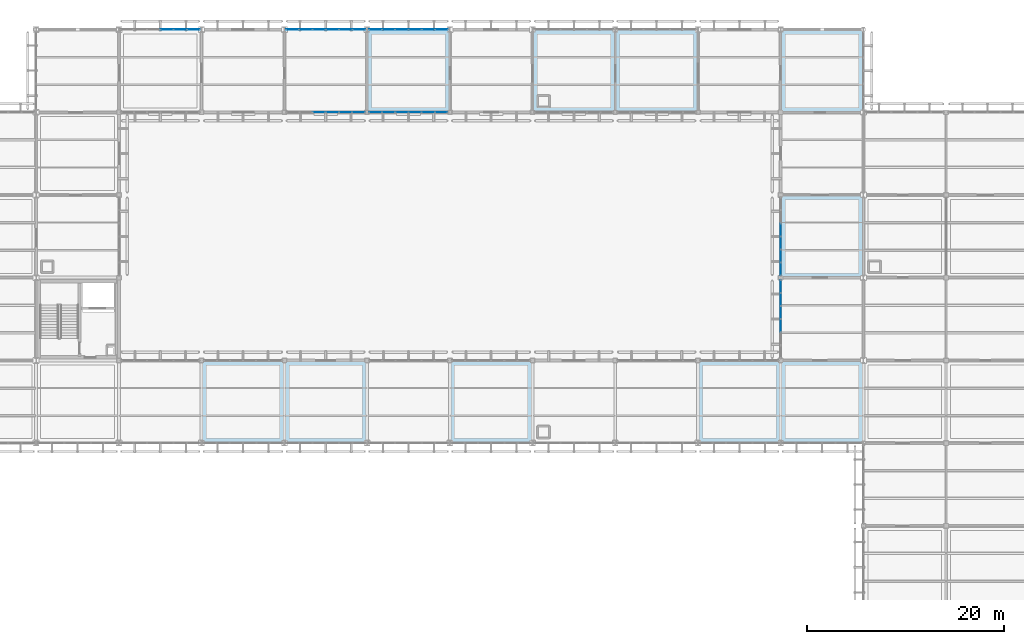
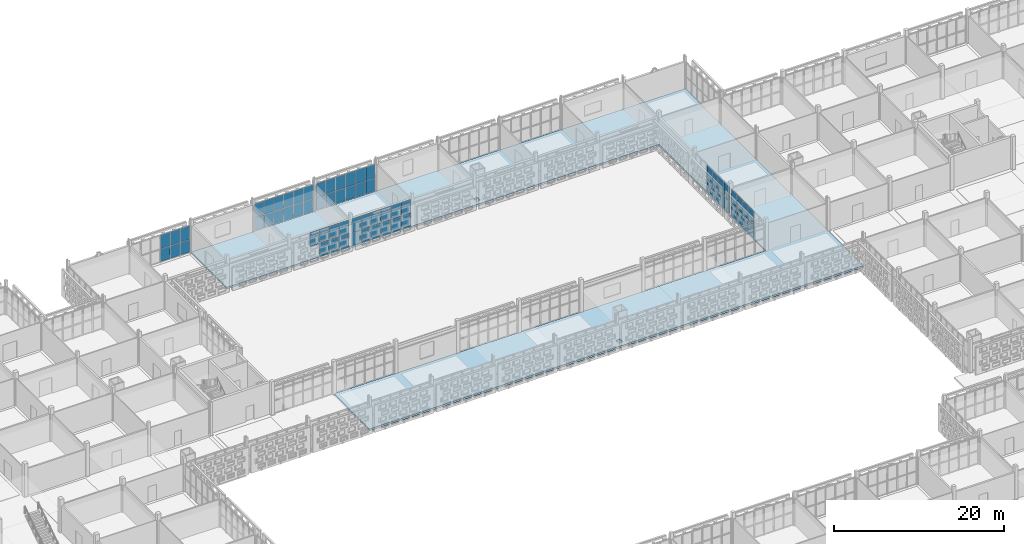
# One storey, part 100 of 203: 65 plates, 1 slab, 7 elements without a shape of their own.
"""IFC4 building model written with IfcOpenShell, lengths in metres."""

from ifc_helpers import new_model, si_unit, direction, frame, origin, origin_2d, place, context, subcontext, project, spatial, polyline, rectangle, outline, extrude, material, layer, layer_set, type_object, element, aggregate, save


model = new_model("IFC4")

# Units and contexts
model_context = context("Model", 3, precision=1e-05, world=origin(), true_north=direction((0.0, 1.0)))
body_context = subcontext(model_context, "Body", "Model", "MODEL_VIEW")
ifc_project = project(units=[si_unit("LENGTHUNIT", "METRE"), si_unit("AREAUNIT", "SQUARE_METRE"), si_unit("VOLUMEUNIT", "CUBIC_METRE"), si_unit("PLANEANGLEUNIT", "RADIAN"), si_unit("MASSUNIT", "GRAM", prefix="KILO")], contexts=[model_context])

# Site, building, storey
site_placement = place(None, origin())
site = spatial("IfcSite", under=ifc_project, at=site_placement, CompositionType="ELEMENT")
building_placement = place(site_placement, origin())
building = spatial("IfcBuilding", under=site, at=building_placement, Name="Varnapada Polytechnic", CompositionType="ELEMENT")
storey_placement = place(building_placement, frame((0.0, 0.0, 4.800048828125)))
storey = spatial("IfcBuildingStorey", under=building, at=storey_placement, Name="L01", CompositionType="ELEMENT", Elevation=4.800048828125)

# Curtain wall, plates
ifc_material_1 = material(Name="Double low-E laminated glass", Category="glass")
ifc_layer_1 = layer(ifc_material_1, 0.159912109375)
ifc_layer_set_1 = layer_set([ifc_layer_1], Name="Double low-E laminated glass")
curtain_wall_type = type_object("IfcCurtainWallType", Name="Curtain Wall CW-02", PredefinedType="NOTDEFINED", material=ifc_layer_set_1)
curtain_wall_1_placement = place(storey_placement, origin())
curtain_wall_1 = element("IfcCurtainWall", 1, at=curtain_wall_1_placement, inside=storey, type_object=curtain_wall_type, Name="L01 unitised curtain wall CW-02 (60)", PredefinedType="NOTDEFINED")
ifc_layer_2 = layer(ifc_material_1, 0.028076171875)
ifc_layer_set_2 = layer_set([ifc_layer_2], Name="Double low-E laminated glass")
plate_type = type_object("IfcPlateType", Name="Curtain Panel PNL-01", PredefinedType="CURTAIN_PANEL", material=ifc_layer_set_2)
plate_1_placement = place(storey_placement, frame((63.675048828125, 126.0, 0.06005859375), z_axis=(0.0, 0.0, 1.0), x_axis=(1.0, 0.0, 0.0)))
plate_1 = element("IfcPlate", 2, at=plate_1_placement, type_object=plate_type, Name="CW-02 panel 4.1", PredefinedType="CURTAIN_PANEL", context=body_context, shape_type="SweptSolid", body=[
    extrude(rectangle(XDim=1.2900390625, YDim=0.028076171875, at=origin_2d()), origin(), (0.0, 0.0, 1.0), 1.810791015625),
])
plate_2_placement = place(storey_placement, frame((63.675048828125, 126.0, 1.9306640625), z_axis=(0.0, 0.0, 1.0), x_axis=(1.0, 0.0, 0.0)))
plate_2 = element("IfcPlate", 3, at=plate_2_placement, type_object=plate_type, Name="CW-02 panel 4.2", PredefinedType="CURTAIN_PANEL", context=body_context, shape_type="SweptSolid", body=[
    extrude(rectangle(XDim=1.2900390625, YDim=0.028076171875, at=origin_2d()), origin(), (0.0, 0.0, 1.0), 1.96923828125),
])
plate_3_placement = place(storey_placement, frame((65.02490234375, 126.0, 0.06005859375), z_axis=(0.0, 0.0, 1.0), x_axis=(1.0, 0.0, 0.0)))
plate_3 = element("IfcPlate", 4, at=plate_3_placement, type_object=plate_type, Name="CW-02 panel 5.1", PredefinedType="CURTAIN_PANEL", context=body_context, shape_type="SweptSolid", body=[
    extrude(rectangle(XDim=1.2900390625, YDim=0.028076171875, at=origin_2d()), origin(), (0.0, 0.0, 1.0), 1.810791015625),
])
plate_4_placement = place(storey_placement, frame((65.02490234375, 126.0, 1.9306640625), z_axis=(0.0, 0.0, 1.0), x_axis=(1.0, 0.0, 0.0)))
plate_4 = element("IfcPlate", 5, at=plate_4_placement, type_object=plate_type, Name="CW-02 panel 5.2", PredefinedType="CURTAIN_PANEL", context=body_context, shape_type="SweptSolid", body=[
    extrude(rectangle(XDim=1.2900390625, YDim=0.028076171875, at=origin_2d()), origin(), (0.0, 0.0, 1.0), 1.96923828125),
])
plate_5_placement = place(storey_placement, frame((66.360107421875, 126.0, 0.06005859375), z_axis=(0.0, 0.0, 1.0), x_axis=(1.0, 0.0, 0.0)))
plate_5 = element("IfcPlate", 6, at=plate_5_placement, type_object=plate_type, Name="CW-02 panel 6.1", PredefinedType="CURTAIN_PANEL", context=body_context, shape_type="SweptSolid", body=[
    extrude(rectangle(XDim=1.260009765625, YDim=0.028076171875, at=origin_2d()), origin(), (0.0, 0.0, 1.0), 1.810791015625),
])
plate_6_placement = place(storey_placement, frame((66.360107421875, 126.0, 1.9306640625), z_axis=(0.0, 0.0, 1.0), x_axis=(1.0, 0.0, 0.0)))
plate_6 = element("IfcPlate", 7, at=plate_6_placement, type_object=plate_type, Name="CW-02 panel 6.2", PredefinedType="CURTAIN_PANEL", context=body_context, shape_type="SweptSolid", body=[
    extrude(rectangle(XDim=1.260009765625, YDim=0.028076171875, at=origin_2d()), origin(), (0.0, 0.0, 1.0), 1.96923828125),
])
aggregate(curtain_wall_1, [plate_1, plate_2, plate_3, plate_4, plate_5, plate_6])

curtain_wall_2_placement = place(storey_placement, origin())
curtain_wall_2 = element("IfcCurtainWall", 8, at=curtain_wall_2_placement, inside=storey, type_object=curtain_wall_type, Name="L01 unitised curtain wall CW-02 (67)", PredefinedType="NOTDEFINED")
plate_7_placement = place(storey_placement, frame((83.135009765625, 117.60009765625, 0.06005859375), z_axis=(0.0, 0.0, 1.0), x_axis=(-1.0, 0.0, 0.0)))
plate_7 = element("IfcPlate", 9, at=plate_7_placement, type_object=plate_type, Name="CW-02 panel 1.1", PredefinedType="CURTAIN_PANEL", context=body_context, shape_type="SweptSolid", body=[
    extrude(rectangle(XDim=1.25, YDim=0.028076171875, at=origin_2d()), origin(), (0.0, 0.0, 1.0), 1.810791015625),
])
plate_8_placement = place(storey_placement, frame((83.135009765625, 117.60009765625, 1.9306640625), z_axis=(0.0, 0.0, 1.0), x_axis=(-1.0, 0.0, 0.0)))
plate_8 = element("IfcPlate", 10, at=plate_8_placement, type_object=plate_type, Name="CW-02 panel 1.2", PredefinedType="CURTAIN_PANEL", context=body_context, shape_type="SweptSolid", body=[
    extrude(rectangle(XDim=1.25, YDim=0.028076171875, at=origin_2d()), origin(), (0.0, 0.0, 1.0), 1.96923828125),
])
plate_9_placement = place(storey_placement, frame((81.81005859375, 117.60009765625, 0.06005859375), z_axis=(0.0, 0.0, 1.0), x_axis=(-1.0, 0.0, 0.0)))
plate_9 = element("IfcPlate", 11, at=plate_9_placement, type_object=plate_type, Name="CW-02 panel 2.1", PredefinedType="CURTAIN_PANEL", context=body_context, shape_type="SweptSolid", body=[
    extrude(rectangle(XDim=1.280029296875, YDim=0.028076171875, at=origin_2d()), origin(), (0.0, 0.0, 1.0), 1.810791015625),
])
plate_10_placement = place(storey_placement, frame((81.81005859375, 117.60009765625, 1.9306640625), z_axis=(0.0, 0.0, 1.0), x_axis=(-1.0, 0.0, 0.0)))
plate_10 = element("IfcPlate", 12, at=plate_10_placement, type_object=plate_type, Name="CW-02 panel 2.2", PredefinedType="CURTAIN_PANEL", context=body_context, shape_type="SweptSolid", body=[
    extrude(rectangle(XDim=1.280029296875, YDim=0.028076171875, at=origin_2d()), origin(), (0.0, 0.0, 1.0), 1.96923828125),
])
plate_11_placement = place(storey_placement, frame((80.469970703125, 117.60009765625, 0.06005859375), z_axis=(0.0, 0.0, 1.0), x_axis=(-1.0, 0.0, 0.0)))
plate_11 = element("IfcPlate", 13, at=plate_11_placement, type_object=plate_type, Name="CW-02 panel 3.1", PredefinedType="CURTAIN_PANEL", context=body_context, shape_type="SweptSolid", body=[
    extrude(rectangle(XDim=1.280029296875, YDim=0.028076171875, at=origin_2d()), origin(), (0.0, 0.0, 1.0), 1.810791015625),
])
plate_12_placement = place(storey_placement, frame((80.469970703125, 117.60009765625, 1.9306640625), z_axis=(0.0, 0.0, 1.0), x_axis=(-1.0, 0.0, 0.0)))
plate_12 = element("IfcPlate", 14, at=plate_12_placement, type_object=plate_type, Name="CW-02 panel 3.2", PredefinedType="CURTAIN_PANEL", context=body_context, shape_type="SweptSolid", body=[
    extrude(rectangle(XDim=1.280029296875, YDim=0.028076171875, at=origin_2d()), origin(), (0.0, 0.0, 1.0), 1.96923828125),
])
plate_13_placement = place(storey_placement, frame((79.1298828125, 117.60009765625, 1.9306640625), z_axis=(0.0, 0.0, 1.0), x_axis=(-1.0, 0.0, 0.0)))
plate_13 = element("IfcPlate", 15, at=plate_13_placement, type_object=plate_type, Name="CW-02 panel 4.2", PredefinedType="CURTAIN_PANEL", context=body_context, shape_type="SweptSolid", body=[
    extrude(rectangle(XDim=1.280029296875, YDim=0.028076171875, at=origin_2d()), origin(), (0.0, 0.0, 1.0), 1.96923828125),
])
aggregate(curtain_wall_2, [plate_7, plate_8, plate_9, plate_10, plate_11, plate_12, plate_13])

curtain_wall_3_placement = place(storey_placement, origin())
curtain_wall_3 = element("IfcCurtainWall", 16, at=curtain_wall_3_placement, inside=storey, type_object=curtain_wall_type, Name="L01 unitised curtain wall CW-02 (68)", PredefinedType="NOTDEFINED")
plate_14_placement = place(storey_placement, frame((76.43994140625, 126.0, 0.06005859375), z_axis=(0.0, 0.0, 1.0), x_axis=(1.0, 0.0, 0.0)))
plate_14 = element("IfcPlate", 17, at=plate_14_placement, type_object=plate_type, Name="CW-02 panel 1.1", PredefinedType="CURTAIN_PANEL", context=body_context, shape_type="SweptSolid", body=[
    extrude(rectangle(XDim=1.260009765625, YDim=0.028076171875, at=origin_2d()), origin(), (0.0, 0.0, 1.0), 1.810791015625),
])
plate_15_placement = place(storey_placement, frame((76.43994140625, 126.0, 1.9306640625), z_axis=(0.0, 0.0, 1.0), x_axis=(1.0, 0.0, 0.0)))
plate_15 = element("IfcPlate", 18, at=plate_15_placement, type_object=plate_type, Name="CW-02 panel 1.2", PredefinedType="CURTAIN_PANEL", context=body_context, shape_type="SweptSolid", body=[
    extrude(rectangle(XDim=1.260009765625, YDim=0.028076171875, at=origin_2d()), origin(), (0.0, 0.0, 1.0), 1.96923828125),
])
plate_16_placement = place(storey_placement, frame((77.77490234375, 126.0, 0.06005859375), z_axis=(0.0, 0.0, 1.0), x_axis=(1.0, 0.0, 0.0)))
plate_16 = element("IfcPlate", 19, at=plate_16_placement, type_object=plate_type, Name="CW-02 panel 2.1", PredefinedType="CURTAIN_PANEL", context=body_context, shape_type="SweptSolid", body=[
    extrude(rectangle(XDim=1.2900390625, YDim=0.028076171875, at=origin_2d()), origin(), (0.0, 0.0, 1.0), 1.810791015625),
])
plate_17_placement = place(storey_placement, frame((77.77490234375, 126.0, 1.9306640625), z_axis=(0.0, 0.0, 1.0), x_axis=(1.0, 0.0, 0.0)))
plate_17 = element("IfcPlate", 20, at=plate_17_placement, type_object=plate_type, Name="CW-02 panel 2.2", PredefinedType="CURTAIN_PANEL", context=body_context, shape_type="SweptSolid", body=[
    extrude(rectangle(XDim=1.2900390625, YDim=0.028076171875, at=origin_2d()), origin(), (0.0, 0.0, 1.0), 1.96923828125),
])
plate_18_placement = place(storey_placement, frame((79.125, 126.0, 0.06005859375), z_axis=(0.0, 0.0, 1.0), x_axis=(1.0, 0.0, 0.0)))
plate_18 = element("IfcPlate", 21, at=plate_18_placement, type_object=plate_type, Name="CW-02 panel 3.1", PredefinedType="CURTAIN_PANEL", context=body_context, shape_type="SweptSolid", body=[
    extrude(rectangle(XDim=1.2900390625, YDim=0.028076171875, at=origin_2d()), origin(), (0.0, 0.0, 1.0), 1.810791015625),
])
plate_19_placement = place(storey_placement, frame((79.125, 126.0, 1.9306640625), z_axis=(0.0, 0.0, 1.0), x_axis=(1.0, 0.0, 0.0)))
plate_19 = element("IfcPlate", 22, at=plate_19_placement, type_object=plate_type, Name="CW-02 panel 3.2", PredefinedType="CURTAIN_PANEL", context=body_context, shape_type="SweptSolid", body=[
    extrude(rectangle(XDim=1.2900390625, YDim=0.028076171875, at=origin_2d()), origin(), (0.0, 0.0, 1.0), 1.96923828125),
])
plate_20_placement = place(storey_placement, frame((80.47509765625, 126.0, 0.06005859375), z_axis=(0.0, 0.0, 1.0), x_axis=(1.0, 0.0, 0.0)))
plate_20 = element("IfcPlate", 23, at=plate_20_placement, type_object=plate_type, Name="CW-02 panel 4.1", PredefinedType="CURTAIN_PANEL", context=body_context, shape_type="SweptSolid", body=[
    extrude(rectangle(XDim=1.2900390625, YDim=0.028076171875, at=origin_2d()), origin(), (0.0, 0.0, 1.0), 1.810791015625),
])
plate_21_placement = place(storey_placement, frame((80.47509765625, 126.0, 1.9306640625), z_axis=(0.0, 0.0, 1.0), x_axis=(1.0, 0.0, 0.0)))
plate_21 = element("IfcPlate", 24, at=plate_21_placement, type_object=plate_type, Name="CW-02 panel 4.2", PredefinedType="CURTAIN_PANEL", context=body_context, shape_type="SweptSolid", body=[
    extrude(rectangle(XDim=1.2900390625, YDim=0.028076171875, at=origin_2d()), origin(), (0.0, 0.0, 1.0), 1.96923828125),
])
plate_22_placement = place(storey_placement, frame((81.824951171875, 126.0, 0.06005859375), z_axis=(0.0, 0.0, 1.0), x_axis=(1.0, 0.0, 0.0)))
plate_22 = element("IfcPlate", 25, at=plate_22_placement, type_object=plate_type, Name="CW-02 panel 5.1", PredefinedType="CURTAIN_PANEL", context=body_context, shape_type="SweptSolid", body=[
    extrude(rectangle(XDim=1.2900390625, YDim=0.028076171875, at=origin_2d()), origin(), (0.0, 0.0, 1.0), 1.810791015625),
])
plate_23_placement = place(storey_placement, frame((81.824951171875, 126.0, 1.9306640625), z_axis=(0.0, 0.0, 1.0), x_axis=(1.0, 0.0, 0.0)))
plate_23 = element("IfcPlate", 26, at=plate_23_placement, type_object=plate_type, Name="CW-02 panel 5.2", PredefinedType="CURTAIN_PANEL", context=body_context, shape_type="SweptSolid", body=[
    extrude(rectangle(XDim=1.2900390625, YDim=0.028076171875, at=origin_2d()), origin(), (0.0, 0.0, 1.0), 1.96923828125),
])
plate_24_placement = place(storey_placement, frame((83.159912109375, 126.0, 0.06005859375), z_axis=(0.0, 0.0, 1.0), x_axis=(1.0, 0.0, 0.0)))
plate_24 = element("IfcPlate", 27, at=plate_24_placement, type_object=plate_type, Name="CW-02 panel 6.1", PredefinedType="CURTAIN_PANEL", context=body_context, shape_type="SweptSolid", body=[
    extrude(rectangle(XDim=1.260009765625, YDim=0.028076171875, at=origin_2d()), origin(), (0.0, 0.0, 1.0), 1.810791015625),
])
plate_25_placement = place(storey_placement, frame((83.159912109375, 126.0, 1.9306640625), z_axis=(0.0, 0.0, 1.0), x_axis=(1.0, 0.0, 0.0)))
plate_25 = element("IfcPlate", 28, at=plate_25_placement, type_object=plate_type, Name="CW-02 panel 6.2", PredefinedType="CURTAIN_PANEL", context=body_context, shape_type="SweptSolid", body=[
    extrude(rectangle(XDim=1.260009765625, YDim=0.028076171875, at=origin_2d()), origin(), (0.0, 0.0, 1.0), 1.96923828125),
])
aggregate(curtain_wall_3, [plate_14, plate_15, plate_16, plate_17, plate_18, plate_19, plate_20, plate_21, plate_22, plate_23, plate_24, plate_25])

curtain_wall_4_placement = place(storey_placement, origin())
curtain_wall_4 = element("IfcCurtainWall", 29, at=curtain_wall_4_placement, inside=storey, type_object=curtain_wall_type, Name="L01 unitised curtain wall CW-02 (73)", PredefinedType="NOTDEFINED")
plate_26_placement = place(storey_placement, frame((91.534912109375, 117.60009765625, 0.06005859375), z_axis=(0.0, 0.0, 1.0), x_axis=(-1.0, 0.0, 0.0)))
plate_26 = element("IfcPlate", 30, at=plate_26_placement, type_object=plate_type, Name="CW-02 panel 1.1", PredefinedType="CURTAIN_PANEL", context=body_context, shape_type="SweptSolid", body=[
    extrude(rectangle(XDim=1.25, YDim=0.028076171875, at=origin_2d()), origin(), (0.0, 0.0, 1.0), 1.810791015625),
])
plate_27_placement = place(storey_placement, frame((91.534912109375, 117.60009765625, 1.9306640625), z_axis=(0.0, 0.0, 1.0), x_axis=(-1.0, 0.0, 0.0)))
plate_27 = element("IfcPlate", 31, at=plate_27_placement, type_object=plate_type, Name="CW-02 panel 1.2", PredefinedType="CURTAIN_PANEL", context=body_context, shape_type="SweptSolid", body=[
    extrude(rectangle(XDim=1.25, YDim=0.028076171875, at=origin_2d()), origin(), (0.0, 0.0, 1.0), 1.96923828125),
])
plate_28_placement = place(storey_placement, frame((90.2099609375, 117.60009765625, 0.06005859375), z_axis=(0.0, 0.0, 1.0), x_axis=(-1.0, 0.0, 0.0)))
plate_28 = element("IfcPlate", 32, at=plate_28_placement, type_object=plate_type, Name="CW-02 panel 2.1", PredefinedType="CURTAIN_PANEL", context=body_context, shape_type="SweptSolid", body=[
    extrude(rectangle(XDim=1.280029296875, YDim=0.028076171875, at=origin_2d()), origin(), (0.0, 0.0, 1.0), 1.810791015625),
])
plate_29_placement = place(storey_placement, frame((90.2099609375, 117.60009765625, 1.9306640625), z_axis=(0.0, 0.0, 1.0), x_axis=(-1.0, 0.0, 0.0)))
plate_29 = element("IfcPlate", 33, at=plate_29_placement, type_object=plate_type, Name="CW-02 panel 2.2", PredefinedType="CURTAIN_PANEL", context=body_context, shape_type="SweptSolid", body=[
    extrude(rectangle(XDim=1.280029296875, YDim=0.028076171875, at=origin_2d()), origin(), (0.0, 0.0, 1.0), 1.96923828125),
])
plate_30_placement = place(storey_placement, frame((88.8701171875, 117.60009765625, 0.06005859375), z_axis=(0.0, 0.0, 1.0), x_axis=(-1.0, 0.0, 0.0)))
plate_30 = element("IfcPlate", 34, at=plate_30_placement, type_object=plate_type, Name="CW-02 panel 3.1", PredefinedType="CURTAIN_PANEL", context=body_context, shape_type="SweptSolid", body=[
    extrude(rectangle(XDim=1.280029296875, YDim=0.028076171875, at=origin_2d()), origin(), (0.0, 0.0, 1.0), 1.810791015625),
])
plate_31_placement = place(storey_placement, frame((88.8701171875, 117.60009765625, 1.9306640625), z_axis=(0.0, 0.0, 1.0), x_axis=(-1.0, 0.0, 0.0)))
plate_31 = element("IfcPlate", 35, at=plate_31_placement, type_object=plate_type, Name="CW-02 panel 3.2", PredefinedType="CURTAIN_PANEL", context=body_context, shape_type="SweptSolid", body=[
    extrude(rectangle(XDim=1.280029296875, YDim=0.028076171875, at=origin_2d()), origin(), (0.0, 0.0, 1.0), 1.96923828125),
])
plate_32_placement = place(storey_placement, frame((87.530029296875, 117.60009765625, 0.06005859375), z_axis=(0.0, 0.0, 1.0), x_axis=(-1.0, 0.0, 0.0)))
plate_32 = element("IfcPlate", 36, at=plate_32_placement, type_object=plate_type, Name="CW-02 panel 4.1", PredefinedType="CURTAIN_PANEL", context=body_context, shape_type="SweptSolid", body=[
    extrude(rectangle(XDim=1.280029296875, YDim=0.028076171875, at=origin_2d()), origin(), (0.0, 0.0, 1.0), 1.810791015625),
])
plate_33_placement = place(storey_placement, frame((87.530029296875, 117.60009765625, 1.9306640625), z_axis=(0.0, 0.0, 1.0), x_axis=(-1.0, 0.0, 0.0)))
plate_33 = element("IfcPlate", 37, at=plate_33_placement, type_object=plate_type, Name="CW-02 panel 4.2", PredefinedType="CURTAIN_PANEL", context=body_context, shape_type="SweptSolid", body=[
    extrude(rectangle(XDim=1.280029296875, YDim=0.028076171875, at=origin_2d()), origin(), (0.0, 0.0, 1.0), 1.96923828125),
])
plate_34_placement = place(storey_placement, frame((86.18994140625, 117.60009765625, 0.06005859375), z_axis=(0.0, 0.0, 1.0), x_axis=(-1.0, 0.0, 0.0)))
plate_34 = element("IfcPlate", 38, at=plate_34_placement, type_object=plate_type, Name="CW-02 panel 5.1", PredefinedType="CURTAIN_PANEL", context=body_context, shape_type="SweptSolid", body=[
    extrude(rectangle(XDim=1.280029296875, YDim=0.028076171875, at=origin_2d()), origin(), (0.0, 0.0, 1.0), 1.810791015625),
])
plate_35_placement = place(storey_placement, frame((86.18994140625, 117.60009765625, 1.9306640625), z_axis=(0.0, 0.0, 1.0), x_axis=(-1.0, 0.0, 0.0)))
plate_35 = element("IfcPlate", 39, at=plate_35_placement, type_object=plate_type, Name="CW-02 panel 5.2", PredefinedType="CURTAIN_PANEL", context=body_context, shape_type="SweptSolid", body=[
    extrude(rectangle(XDim=1.280029296875, YDim=0.028076171875, at=origin_2d()), origin(), (0.0, 0.0, 1.0), 1.96923828125),
])
plate_36_placement = place(storey_placement, frame((84.864990234375, 117.60009765625, 0.06005859375), z_axis=(0.0, 0.0, 1.0), x_axis=(-1.0, 0.0, 0.0)))
plate_36 = element("IfcPlate", 40, at=plate_36_placement, type_object=plate_type, Name="CW-02 panel 6.1", PredefinedType="CURTAIN_PANEL", context=body_context, shape_type="SweptSolid", body=[
    extrude(rectangle(XDim=1.25, YDim=0.028076171875, at=origin_2d()), origin(), (0.0, 0.0, 1.0), 1.810791015625),
])
plate_37_placement = place(storey_placement, frame((84.864990234375, 117.60009765625, 1.9306640625), z_axis=(0.0, 0.0, 1.0), x_axis=(-1.0, 0.0, 0.0)))
plate_37 = element("IfcPlate", 41, at=plate_37_placement, type_object=plate_type, Name="CW-02 panel 6.2", PredefinedType="CURTAIN_PANEL", context=body_context, shape_type="SweptSolid", body=[
    extrude(rectangle(XDim=1.25, YDim=0.028076171875, at=origin_2d()), origin(), (0.0, 0.0, 1.0), 1.96923828125),
])
aggregate(curtain_wall_4, [plate_26, plate_27, plate_28, plate_29, plate_30, plate_31, plate_32, plate_33, plate_34, plate_35, plate_36, plate_37])

curtain_wall_5_placement = place(storey_placement, origin())
curtain_wall_5 = element("IfcCurtainWall", 42, at=curtain_wall_5_placement, inside=storey, type_object=curtain_wall_type, Name="L01 unitised curtain wall CW-02 (74)", PredefinedType="NOTDEFINED")
plate_38_placement = place(storey_placement, frame((84.840087890625, 126.0, 0.06005859375), z_axis=(0.0, 0.0, 1.0), x_axis=(1.0, 0.0, 0.0)))
plate_38 = element("IfcPlate", 43, at=plate_38_placement, type_object=plate_type, Name="CW-02 panel 1.1", PredefinedType="CURTAIN_PANEL", context=body_context, shape_type="SweptSolid", body=[
    extrude(rectangle(XDim=1.260009765625, YDim=0.028076171875, at=origin_2d()), origin(), (0.0, 0.0, 1.0), 1.810791015625),
])
plate_39_placement = place(storey_placement, frame((84.840087890625, 126.0, 1.9306640625), z_axis=(0.0, 0.0, 1.0), x_axis=(1.0, 0.0, 0.0)))
plate_39 = element("IfcPlate", 44, at=plate_39_placement, type_object=plate_type, Name="CW-02 panel 1.2", PredefinedType="CURTAIN_PANEL", context=body_context, shape_type="SweptSolid", body=[
    extrude(rectangle(XDim=1.260009765625, YDim=0.028076171875, at=origin_2d()), origin(), (0.0, 0.0, 1.0), 1.96923828125),
])
plate_40_placement = place(storey_placement, frame((86.175048828125, 126.0, 0.06005859375), z_axis=(0.0, 0.0, 1.0), x_axis=(1.0, 0.0, 0.0)))
plate_40 = element("IfcPlate", 45, at=plate_40_placement, type_object=plate_type, Name="CW-02 panel 2.1", PredefinedType="CURTAIN_PANEL", context=body_context, shape_type="SweptSolid", body=[
    extrude(rectangle(XDim=1.2900390625, YDim=0.028076171875, at=origin_2d()), origin(), (0.0, 0.0, 1.0), 1.810791015625),
])
plate_41_placement = place(storey_placement, frame((86.175048828125, 126.0, 1.9306640625), z_axis=(0.0, 0.0, 1.0), x_axis=(1.0, 0.0, 0.0)))
plate_41 = element("IfcPlate", 46, at=plate_41_placement, type_object=plate_type, Name="CW-02 panel 2.2", PredefinedType="CURTAIN_PANEL", context=body_context, shape_type="SweptSolid", body=[
    extrude(rectangle(XDim=1.2900390625, YDim=0.028076171875, at=origin_2d()), origin(), (0.0, 0.0, 1.0), 1.96923828125),
])
plate_42_placement = place(storey_placement, frame((87.52490234375, 126.0, 0.06005859375), z_axis=(0.0, 0.0, 1.0), x_axis=(1.0, 0.0, 0.0)))
plate_42 = element("IfcPlate", 47, at=plate_42_placement, type_object=plate_type, Name="CW-02 panel 3.1", PredefinedType="CURTAIN_PANEL", context=body_context, shape_type="SweptSolid", body=[
    extrude(rectangle(XDim=1.2900390625, YDim=0.028076171875, at=origin_2d()), origin(), (0.0, 0.0, 1.0), 1.810791015625),
])
plate_43_placement = place(storey_placement, frame((87.52490234375, 126.0, 1.9306640625), z_axis=(0.0, 0.0, 1.0), x_axis=(1.0, 0.0, 0.0)))
plate_43 = element("IfcPlate", 48, at=plate_43_placement, type_object=plate_type, Name="CW-02 panel 3.2", PredefinedType="CURTAIN_PANEL", context=body_context, shape_type="SweptSolid", body=[
    extrude(rectangle(XDim=1.2900390625, YDim=0.028076171875, at=origin_2d()), origin(), (0.0, 0.0, 1.0), 1.96923828125),
])
plate_44_placement = place(storey_placement, frame((88.875, 126.0, 0.06005859375), z_axis=(0.0, 0.0, 1.0), x_axis=(1.0, 0.0, 0.0)))
plate_44 = element("IfcPlate", 49, at=plate_44_placement, type_object=plate_type, Name="CW-02 panel 4.1", PredefinedType="CURTAIN_PANEL", context=body_context, shape_type="SweptSolid", body=[
    extrude(rectangle(XDim=1.2900390625, YDim=0.028076171875, at=origin_2d()), origin(), (0.0, 0.0, 1.0), 1.810791015625),
])
plate_45_placement = place(storey_placement, frame((88.875, 126.0, 1.9306640625), z_axis=(0.0, 0.0, 1.0), x_axis=(1.0, 0.0, 0.0)))
plate_45 = element("IfcPlate", 50, at=plate_45_placement, type_object=plate_type, Name="CW-02 panel 4.2", PredefinedType="CURTAIN_PANEL", context=body_context, shape_type="SweptSolid", body=[
    extrude(rectangle(XDim=1.2900390625, YDim=0.028076171875, at=origin_2d()), origin(), (0.0, 0.0, 1.0), 1.96923828125),
])
plate_46_placement = place(storey_placement, frame((90.22509765625, 126.0, 0.06005859375), z_axis=(0.0, 0.0, 1.0), x_axis=(1.0, 0.0, 0.0)))
plate_46 = element("IfcPlate", 51, at=plate_46_placement, type_object=plate_type, Name="CW-02 panel 5.1", PredefinedType="CURTAIN_PANEL", context=body_context, shape_type="SweptSolid", body=[
    extrude(rectangle(XDim=1.2900390625, YDim=0.028076171875, at=origin_2d()), origin(), (0.0, 0.0, 1.0), 1.810791015625),
])
plate_47_placement = place(storey_placement, frame((90.22509765625, 126.0, 1.9306640625), z_axis=(0.0, 0.0, 1.0), x_axis=(1.0, 0.0, 0.0)))
plate_47 = element("IfcPlate", 52, at=plate_47_placement, type_object=plate_type, Name="CW-02 panel 5.2", PredefinedType="CURTAIN_PANEL", context=body_context, shape_type="SweptSolid", body=[
    extrude(rectangle(XDim=1.2900390625, YDim=0.028076171875, at=origin_2d()), origin(), (0.0, 0.0, 1.0), 1.96923828125),
])
plate_48_placement = place(storey_placement, frame((91.56005859375, 126.0, 0.06005859375), z_axis=(0.0, 0.0, 1.0), x_axis=(1.0, 0.0, 0.0)))
plate_48 = element("IfcPlate", 53, at=plate_48_placement, type_object=plate_type, Name="CW-02 panel 6.1", PredefinedType="CURTAIN_PANEL", context=body_context, shape_type="SweptSolid", body=[
    extrude(rectangle(XDim=1.260009765625, YDim=0.028076171875, at=origin_2d()), origin(), (0.0, 0.0, 1.0), 1.810791015625),
])
plate_49_placement = place(storey_placement, frame((91.56005859375, 126.0, 1.9306640625), z_axis=(0.0, 0.0, 1.0), x_axis=(1.0, 0.0, 0.0)))
plate_49 = element("IfcPlate", 54, at=plate_49_placement, type_object=plate_type, Name="CW-02 panel 6.2", PredefinedType="CURTAIN_PANEL", context=body_context, shape_type="SweptSolid", body=[
    extrude(rectangle(XDim=1.260009765625, YDim=0.028076171875, at=origin_2d()), origin(), (0.0, 0.0, 1.0), 1.96923828125),
])
aggregate(curtain_wall_5, [plate_38, plate_39, plate_40, plate_41, plate_42, plate_43, plate_44, plate_45, plate_46, plate_47, plate_48, plate_49])

curtain_wall_6_placement = place(storey_placement, origin())
curtain_wall_6 = element("IfcCurtainWall", 55, at=curtain_wall_6_placement, inside=storey, type_object=curtain_wall_type, Name="L01 unitised curtain wall CW-02 (97)", PredefinedType="NOTDEFINED")
plate_50_placement = place(storey_placement, frame((126.0, 95.93505859375, 0.06005859375), z_axis=(0.0, 0.0, 1.0), x_axis=(0.0, 1.0, 0.0)))
plate_50 = element("IfcPlate", 56, at=plate_50_placement, type_object=plate_type, Name="CW-02 panel 3.1", PredefinedType="CURTAIN_PANEL", context=body_context, shape_type="SweptSolid", body=[
    extrude(rectangle(XDim=1.27001953125, YDim=0.028076171875, at=origin_2d()), origin(), (0.0, 0.0, 1.0), 1.810791015625),
])
plate_51_placement = place(storey_placement, frame((126.0, 95.93505859375, 1.9306640625), z_axis=(0.0, 0.0, 1.0), x_axis=(0.0, 1.0, 0.0)))
plate_51 = element("IfcPlate", 57, at=plate_51_placement, type_object=plate_type, Name="CW-02 panel 3.2", PredefinedType="CURTAIN_PANEL", context=body_context, shape_type="SweptSolid", body=[
    extrude(rectangle(XDim=1.27001953125, YDim=0.028076171875, at=origin_2d()), origin(), (0.0, 0.0, 1.0), 1.96923828125),
])
plate_52_placement = place(storey_placement, frame((126.0, 97.264892578125, 0.06005859375), z_axis=(0.0, 0.0, 1.0), x_axis=(0.0, 1.0, 0.0)))
plate_52 = element("IfcPlate", 58, at=plate_52_placement, type_object=plate_type, Name="CW-02 panel 4.1", PredefinedType="CURTAIN_PANEL", context=body_context, shape_type="SweptSolid", body=[
    extrude(rectangle(XDim=1.27001953125, YDim=0.028076171875, at=origin_2d()), origin(), (0.0, 0.0, 1.0), 1.810791015625),
])
plate_53_placement = place(storey_placement, frame((126.0, 97.264892578125, 1.9306640625), z_axis=(0.0, 0.0, 1.0), x_axis=(0.0, 1.0, 0.0)))
plate_53 = element("IfcPlate", 59, at=plate_53_placement, type_object=plate_type, Name="CW-02 panel 4.2", PredefinedType="CURTAIN_PANEL", context=body_context, shape_type="SweptSolid", body=[
    extrude(rectangle(XDim=1.27001953125, YDim=0.028076171875, at=origin_2d()), origin(), (0.0, 0.0, 1.0), 1.96923828125),
])
plate_54_placement = place(storey_placement, frame((126.0, 98.594970703125, 0.06005859375), z_axis=(0.0, 0.0, 1.0), x_axis=(0.0, 1.0, 0.0)))
plate_54 = element("IfcPlate", 60, at=plate_54_placement, type_object=plate_type, Name="CW-02 panel 5.1", PredefinedType="CURTAIN_PANEL", context=body_context, shape_type="SweptSolid", body=[
    extrude(rectangle(XDim=1.27001953125, YDim=0.028076171875, at=origin_2d()), origin(), (0.0, 0.0, 1.0), 1.810791015625),
])
plate_55_placement = place(storey_placement, frame((126.0, 98.594970703125, 1.9306640625), z_axis=(0.0, 0.0, 1.0), x_axis=(0.0, 1.0, 0.0)))
plate_55 = element("IfcPlate", 61, at=plate_55_placement, type_object=plate_type, Name="CW-02 panel 5.2", PredefinedType="CURTAIN_PANEL", context=body_context, shape_type="SweptSolid", body=[
    extrude(rectangle(XDim=1.27001953125, YDim=0.028076171875, at=origin_2d()), origin(), (0.0, 0.0, 1.0), 1.96923828125),
])
plate_56_placement = place(storey_placement, frame((126.0, 99.909912109375, 0.06005859375), z_axis=(0.0, 0.0, 1.0), x_axis=(0.0, 1.0, 0.0)))
plate_56 = element("IfcPlate", 62, at=plate_56_placement, type_object=plate_type, Name="CW-02 panel 6.1", PredefinedType="CURTAIN_PANEL", context=body_context, shape_type="SweptSolid", body=[
    extrude(rectangle(XDim=1.239990234375, YDim=0.028076171875, at=origin_2d()), origin(), (0.0, 0.0, 1.0), 1.810791015625),
])
plate_57_placement = place(storey_placement, frame((126.0, 99.909912109375, 1.9306640625), z_axis=(0.0, 0.0, 1.0), x_axis=(0.0, 1.0, 0.0)))
plate_57 = element("IfcPlate", 63, at=plate_57_placement, type_object=plate_type, Name="CW-02 panel 6.2", PredefinedType="CURTAIN_PANEL", context=body_context, shape_type="SweptSolid", body=[
    extrude(rectangle(XDim=1.239990234375, YDim=0.028076171875, at=origin_2d()), origin(), (0.0, 0.0, 1.0), 1.96923828125),
])
aggregate(curtain_wall_6, [plate_50, plate_51, plate_52, plate_53, plate_54, plate_55, plate_56, plate_57])

curtain_wall_7_placement = place(storey_placement, origin())
curtain_wall_7 = element("IfcCurtainWall", 64, at=curtain_wall_7_placement, inside=storey, type_object=curtain_wall_type, Name="L01 unitised curtain wall CW-02 (98)", PredefinedType="NOTDEFINED")
plate_58_placement = place(storey_placement, frame((126.0, 101.68994140625, 0.06005859375), z_axis=(0.0, 0.0, 1.0), x_axis=(0.0, 1.0, 0.0)))
plate_58 = element("IfcPlate", 65, at=plate_58_placement, type_object=plate_type, Name="CW-02 panel 1.1", PredefinedType="CURTAIN_PANEL", context=body_context, shape_type="SweptSolid", body=[
    extrude(rectangle(XDim=1.239990234375, YDim=0.028076171875, at=origin_2d()), origin(), (0.0, 0.0, 1.0), 1.810791015625),
])
plate_59_placement = place(storey_placement, frame((126.0, 101.68994140625, 1.9306640625), z_axis=(0.0, 0.0, 1.0), x_axis=(0.0, 1.0, 0.0)))
plate_59 = element("IfcPlate", 66, at=plate_59_placement, type_object=plate_type, Name="CW-02 panel 1.2", PredefinedType="CURTAIN_PANEL", context=body_context, shape_type="SweptSolid", body=[
    extrude(rectangle(XDim=1.239990234375, YDim=0.028076171875, at=origin_2d()), origin(), (0.0, 0.0, 1.0), 1.96923828125),
])
plate_60_placement = place(storey_placement, frame((126.0, 103.0048828125, 0.06005859375), z_axis=(0.0, 0.0, 1.0), x_axis=(0.0, 1.0, 0.0)))
plate_60 = element("IfcPlate", 67, at=plate_60_placement, type_object=plate_type, Name="CW-02 panel 2.1", PredefinedType="CURTAIN_PANEL", context=body_context, shape_type="SweptSolid", body=[
    extrude(rectangle(XDim=1.27001953125, YDim=0.028076171875, at=origin_2d()), origin(), (0.0, 0.0, 1.0), 1.810791015625),
])
plate_61_placement = place(storey_placement, frame((126.0, 103.0048828125, 1.9306640625), z_axis=(0.0, 0.0, 1.0), x_axis=(0.0, 1.0, 0.0)))
plate_61 = element("IfcPlate", 68, at=plate_61_placement, type_object=plate_type, Name="CW-02 panel 2.2", PredefinedType="CURTAIN_PANEL", context=body_context, shape_type="SweptSolid", body=[
    extrude(rectangle(XDim=1.27001953125, YDim=0.028076171875, at=origin_2d()), origin(), (0.0, 0.0, 1.0), 1.96923828125),
])
plate_62_placement = place(storey_placement, frame((126.0, 104.3349609375, 0.06005859375), z_axis=(0.0, 0.0, 1.0), x_axis=(0.0, 1.0, 0.0)))
plate_62 = element("IfcPlate", 69, at=plate_62_placement, type_object=plate_type, Name="CW-02 panel 3.1", PredefinedType="CURTAIN_PANEL", context=body_context, shape_type="SweptSolid", body=[
    extrude(rectangle(XDim=1.27001953125, YDim=0.028076171875, at=origin_2d()), origin(), (0.0, 0.0, 1.0), 1.810791015625),
])
plate_63_placement = place(storey_placement, frame((126.0, 104.3349609375, 1.9306640625), z_axis=(0.0, 0.0, 1.0), x_axis=(0.0, 1.0, 0.0)))
plate_63 = element("IfcPlate", 70, at=plate_63_placement, type_object=plate_type, Name="CW-02 panel 3.2", PredefinedType="CURTAIN_PANEL", context=body_context, shape_type="SweptSolid", body=[
    extrude(rectangle(XDim=1.27001953125, YDim=0.028076171875, at=origin_2d()), origin(), (0.0, 0.0, 1.0), 1.96923828125),
])
plate_64_placement = place(storey_placement, frame((126.0, 105.6650390625, 0.06005859375), z_axis=(0.0, 0.0, 1.0), x_axis=(0.0, 1.0, 0.0)))
plate_64 = element("IfcPlate", 71, at=plate_64_placement, type_object=plate_type, Name="CW-02 panel 4.1", PredefinedType="CURTAIN_PANEL", context=body_context, shape_type="SweptSolid", body=[
    extrude(rectangle(XDim=1.27001953125, YDim=0.028076171875, at=origin_2d()), origin(), (0.0, 0.0, 1.0), 1.810791015625),
])
plate_65_placement = place(storey_placement, frame((126.0, 105.6650390625, 1.9306640625), z_axis=(0.0, 0.0, 1.0), x_axis=(0.0, 1.0, 0.0)))
plate_65 = element("IfcPlate", 72, at=plate_65_placement, type_object=plate_type, Name="CW-02 panel 4.2", PredefinedType="CURTAIN_PANEL", context=body_context, shape_type="SweptSolid", body=[
    extrude(rectangle(XDim=1.27001953125, YDim=0.028076171875, at=origin_2d()), origin(), (0.0, 0.0, 1.0), 1.96923828125),
])
aggregate(curtain_wall_7, [plate_58, plate_59, plate_60, plate_61, plate_62, plate_63, plate_64, plate_65])

# Slab
ifc_material_2 = material(Name="Concrete C40/50", Category="concrete")
ifc_layer_3 = layer(ifc_material_2, 0.260009765625)
ifc_layer_set_3 = layer_set([ifc_layer_3], Name="Concrete C40/50")
slab_type = type_object("IfcSlabType", Name="L01 workshop gallery & lecture slab SL-04", PredefinedType="FLOOR", material=ifc_layer_set_3)
slab_placement = place(storey_placement, frame((0.0, 0.0, -0.260009765625)))
element("IfcSlab", 73, at=slab_placement, inside=storey, type_object=slab_type, Name="L01 V1 slab 2.1", PredefinedType="FLOOR", context=body_context, shape_type="SweptSolid", body=[
    extrude(outline(polyline([(84.0, 92.39990234375), (92.39990234375, 92.39990234375), (100.800048828125, 92.39990234375), (109.199951171875, 92.39990234375), (117.60009765625, 92.39990234375), (126.0, 92.39990234375), (126.0, 100.800048828125), (126.0, 109.199951171875), (126.0, 117.60009765625), (117.60009765625, 117.60009765625), (109.199951171875, 117.60009765625), (100.800048828125, 117.60009765625), (92.39990234375, 117.60009765625), (84.0, 117.60009765625), (75.60009765625, 117.60009765625), (67.199951171875, 117.60009765625), (67.199951171875, 126.0), (75.60009765625, 126.0), (84.0, 126.0), (92.39990234375, 126.0), (100.800048828125, 126.0), (109.199951171875, 126.0), (117.60009765625, 126.0), (126.0, 126.0), (134.39990234375, 126.0), (134.39990234375, 117.60009765625), (134.39990234375, 109.199951171875), (134.39990234375, 100.800048828125), (134.39990234375, 92.39990234375), (134.39990234375, 84.0), (126.0, 84.0), (117.60009765625, 84.0), (109.199951171875, 84.0), (100.800048828125, 84.0), (92.39990234375, 84.0), (84.0, 84.0), (75.60009765625, 84.0), (67.199951171875, 84.0), (67.199951171875, 92.39990234375), (75.60009765625, 92.39990234375), (84.0, 92.39990234375)]), holes=[polyline([(101.449951171875, 84.64990234375), (102.050048828125, 84.64990234375), (102.050048828125, 85.25), (101.449951171875, 85.25), (101.449951171875, 84.64990234375)]), polyline([(101.449951171875, 118.25), (102.050048828125, 118.25), (102.050048828125, 118.85009765625), (101.449951171875, 118.85009765625), (101.449951171875, 118.25)])]), origin(), (0.0, 0.0, 1.0), 0.260009765625),
])

save(model, "model.ifc")
